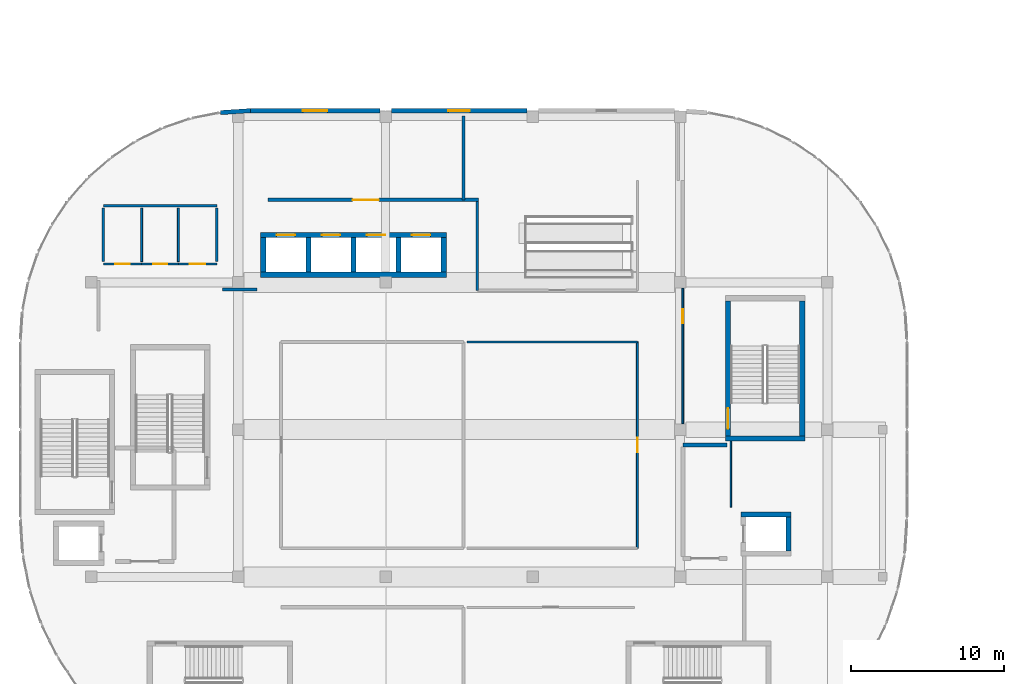
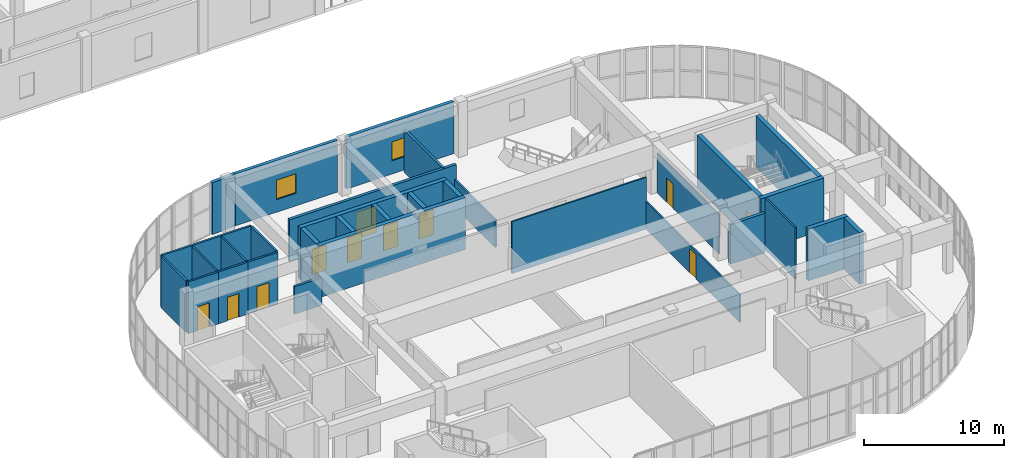
# One storey, part 22 of 28: 32 walls, 11 doors, 2 windows, 13 openings.
"""IFC4 building model written with IfcOpenShell, lengths in metres."""

from ifc_helpers import new_model, si_unit, direction, frame, frame_2d, origin, place, context, subcontext, project, spatial, rectangle, extrude, material, layer, layer_set, type_object, element, fill, save


model = new_model("IFC4")

# Units and contexts
model_context = context("Model", 3, precision=1e-05, world=origin(), true_north=direction((0.0, 1.0)))
body_context = subcontext(model_context, "Body", "Model", "MODEL_VIEW")
ifc_project = project(units=[si_unit("LENGTHUNIT", "METRE"), si_unit("AREAUNIT", "SQUARE_METRE"), si_unit("VOLUMEUNIT", "CUBIC_METRE"), si_unit("PLANEANGLEUNIT", "RADIAN"), si_unit("MASSUNIT", "GRAM", prefix="KILO")], contexts=[model_context])

# Site, building, storey
site_placement = place(None, origin())
site = spatial("IfcSite", under=ifc_project, at=site_placement, CompositionType="ELEMENT")
building_placement = place(site_placement, origin())
building = spatial("IfcBuilding", under=site, at=building_placement, Name="Cendralis Terraced Arcade", CompositionType="ELEMENT")
storey_placement = place(building_placement, frame((0.0, 0.0, 24.60009765625)))
storey = spatial("IfcBuildingStorey", under=building, at=storey_placement, Name="L05", CompositionType="ELEMENT", Elevation=24.60009765625)

# Walls
ifc_material_1 = material(Name="Gypsum plasterboard acoustic partition", Category="concrete")
ifc_layer_1 = layer(ifc_material_1, 0.195068359375, Name="WL-ACOU-195")
ifc_layer_set_1 = layer_set([ifc_layer_1], Name="Gypsum plasterboard acoustic partition")
wall_type_1 = type_object("IfcWallType", Name="WL-ACOU-195", PredefinedType="PARTITIONING", material=ifc_layer_set_1)
wall_1_placement = place(storey_placement, frame((20.419921875, 37.927490234375, 0.0), z_axis=(0.0, 0.0, 1.0), x_axis=(-1.0, 0.0, 0.0)))
element("IfcWall", 1, at=wall_1_placement, inside=storey, type_object=wall_type_1, Name="Interior Partition Wall IW-L05-0604", PredefinedType="PARTITIONING", context=body_context, shape_type="SweptSolid", body=[
    extrude(rectangle(XDim=2.239990234375, YDim=0.195068359375, at=frame_2d((1.1201171875, 0.0))), origin(), (0.0, 0.0, 1.0), 2.39990234375),
])
ifc_layer_2 = layer(ifc_material_1, 0.205078125, Name="WL-ACOU-205")
ifc_layer_set_2 = layer_set([ifc_layer_2], Name="Gypsum plasterboard acoustic partition")
wall_type_2 = type_object("IfcWallType", Name="WL-ACOU-205", PredefinedType="PARTITIONING", material=ifc_layer_set_2)
wall_2_placement = place(storey_placement, frame((33.8798828125, 49.260009765625, 0.0), z_axis=(0.0, 0.0, 1.0), x_axis=(0.0, -1.0, 0.0)))
element("IfcWall", 2, at=wall_2_placement, inside=storey, type_object=wall_type_2, Name="Interior Partition Wall IW-L05-0602", PredefinedType="PARTITIONING", context=body_context, shape_type="SweptSolid", body=[
    extrude(rectangle(XDim=5.47998046875, YDim=0.205078125, at=frame_2d((2.739990234375, 0.0))), origin(), (0.0, 0.0, 1.0), 3.65478515625),
])

# Wall, opening, door
ifc_material_2 = material(Name="Autoclaved aerated concrete blockwork", Category="masonry")
ifc_layer_3 = layer(ifc_material_2, 0.22802734375, Name="WL-ACOU-228")
ifc_layer_set_3 = layer_set([ifc_layer_3], Name="Autoclaved aerated concrete blockwork")
wall_type_3 = type_object("IfcWallType", Name="WL-ACOU-228", PredefinedType="PARTITIONING", material=ifc_layer_set_3)
wall_3_placement = place(storey_placement, frame((34.85498046875, 43.780029296875, 0.0), z_axis=(0.0, 0.0, 1.0), x_axis=(-1.0, 0.0, 0.0)))
wall_3 = element("IfcWall", 3, at=wall_3_placement, inside=storey, type_object=wall_type_3, Name="Interior Partition Wall IW-L05-0599", PredefinedType="PARTITIONING", context=body_context, shape_type="SweptSolid", body=[
    extrude(rectangle(XDim=13.715087890625, YDim=0.22802734375, at=frame_2d((6.857421875, 0.0))), origin(), (0.0, 0.0, 1.0), 3.65478515625),
])
opening_1_placement = place(wall_3_placement, frame((6.4951171875, 0.0, 0.0)))
opening_1 = element("IfcOpeningElement", 4, at=opening_1_placement, cuts=wall_3, Name="Opening D-L05-163", PredefinedType="OPENING", context=body_context, shape_type="SweptSolid", body=[
    extrude(rectangle(XDim=1.699951171875, YDim=2.300048828125, at=frame_2d((0.85009765625, 1.14990234375))), frame((0.0, 0.1259765625, 0.0), z_axis=(0.0, -1.0, 0.0), x_axis=(1.0, 0.0, 0.0)), (0.0, 0.0, 1.0), 0.251953125),
])
ifc_material_3 = material(Name="Solid core Andean oak veneer door leaf", Category="aluminium")
door_type_1 = type_object("IfcDoorType", Name="ID-DEP-1700x2300", OperationType="DOUBLE_DOOR_SINGLE_SWING", PredefinedType="DOOR", material=ifc_material_3)
door_1_placement = place(opening_1_placement, origin())
door_1 = element("IfcDoor", 5, at=door_1_placement, inside=storey, type_object=door_type_1, Name="Sports and Outdoor Gear Department Sales Floor Door D-L05-163", OperationType="DOUBLE_DOOR_SINGLE_SWING", OverallHeight=2.300048828125, OverallWidth=1.699951171875, PredefinedType="DOOR", context=body_context, shape_type="SweptSolid", body=[
    extrude(rectangle(XDim=1.699951171875, YDim=2.300048828125, at=frame_2d((0.85009765625, 1.14990234375))), frame((0.0, 0.02490234375, 0.0), z_axis=(0.0, -1.0, 0.0), x_axis=(1.0, 0.0, 0.0)), (0.0, 0.0, 1.0), 0.050048828125),
])
fill(opening_1, door_1)

# Walls
ifc_material_4 = material(Name="Concrete f'c 42 MPa", Category="concrete")
ifc_layer_4 = layer(ifc_material_4, 0.340087890625, Name="WL-CORE-340")
ifc_layer_set_4 = layer_set([ifc_layer_4], Name="Concrete f'c 42 MPa")
wall_type_4 = type_object("IfcWallType", Name="WL-CORE-340", PredefinedType="SHEAR", material=ifc_layer_set_4)
wall_4_placement = place(storey_placement, frame((50.9599609375, 28.22998046875, 0.0), z_axis=(0.0, 0.0, 1.0), x_axis=(1.0, 0.0, 0.0)))
element("IfcWall", 6, at=wall_4_placement, inside=storey, type_object=wall_type_4, Name="Stair Core Reinforced Concrete Shear Wall SW-ST-04-L05-S", PredefinedType="SHEAR", context=body_context, shape_type="SweptSolid", body=[
    extrude(rectangle(XDim=5.179931640625, YDim=0.340087890625, at=frame_2d((2.58984375, 0.0))), origin(), (0.0, 0.0, 1.0), 4.510009765625),
])
wall_5_placement = place(storey_placement, frame((55.969970703125, 28.39990234375, 0.0), z_axis=(0.0, 0.0, 1.0), x_axis=(0.0, 1.0, 0.0)))
element("IfcWall", 7, at=wall_5_placement, inside=storey, type_object=wall_type_4, Name="Stair Core Reinforced Concrete Shear Wall SW-ST-04-L05-E", PredefinedType="SHEAR", context=body_context, shape_type="SweptSolid", body=[
    extrude(rectangle(XDim=8.800048828125, YDim=0.340087890625, at=frame_2d((4.39990234375, 0.0))), origin(), (0.0, 0.0, 1.0), 4.510009765625),
])

# Wall, opening, door
wall_6_placement = place(storey_placement, frame((51.1298828125, 28.39990234375, 0.0), z_axis=(0.0, 0.0, 1.0), x_axis=(0.0, 1.0, 0.0)))
wall_6 = element("IfcWall", 8, at=wall_6_placement, inside=storey, type_object=wall_type_4, Name="Stair Core Reinforced Concrete Shear Wall SW-ST-04-L05-W", PredefinedType="SHEAR", context=body_context, shape_type="SweptSolid", body=[
    extrude(rectangle(XDim=8.800048828125, YDim=0.340087890625, at=frame_2d((4.39990234375, 0.0))), origin(), (0.0, 0.0, 1.0), 4.510009765625),
])
opening_2_placement = place(wall_6_placement, frame((0.449951171875, 0.0, 0.0)))
opening_2 = element("IfcOpeningElement", 9, at=opening_2_placement, cuts=wall_6, Name="Opening D-ST-04-L05", PredefinedType="OPENING", context=body_context, shape_type="SweptSolid", body=[
    extrude(rectangle(XDim=1.35009765625, YDim=2.199951171875, at=frame_2d((0.675048828125, 1.10009765625))), frame((0.0, 0.18212890625, 0.0), z_axis=(0.0, -1.0, 0.0), x_axis=(1.0, 0.0, 0.0)), (0.0, 0.0, 1.0), 0.364013671875),
])
ifc_material_5 = material(Name="Galvanised fire-rated steel door assembly", Category="steel")
door_type_2 = type_object("IfcDoorType", Name="ID-ST-1350x2200", OperationType="NOTDEFINED", PredefinedType="DOOR", material=ifc_material_5)
door_2_placement = place(opening_2_placement, frame((1.35009765625, 0.0, 0.0), z_axis=(0.0, 0.0, 1.0), x_axis=(-1.0, 0.0, 0.0)))
door_2 = element("IfcDoor", 10, at=door_2_placement, inside=storey, type_object=door_type_2, Name="Protected Stair ST-04 Fire Door (L05)", OperationType="SINGLE_SWING_LEFT", OverallHeight=2.199951171875, OverallWidth=1.35009765625, PredefinedType="DOOR", context=body_context, shape_type="SweptSolid", body=[
    extrude(rectangle(XDim=1.35009765625, YDim=2.199951171875, at=frame_2d((0.675048828125, 1.10009765625))), frame((0.0, 0.02490234375, 0.0), z_axis=(0.0, -1.0, 0.0), x_axis=(1.0, 0.0, 0.0)), (0.0, 0.0, 1.0), 0.050048828125),
])
fill(opening_2, door_2)

# Walls
wall_7_placement = place(storey_placement, frame((51.9599609375, 23.27001953125, 0.0), z_axis=(0.0, 0.0, 1.0), x_axis=(1.0, 0.0, 0.0)))
element("IfcWall", 11, at=wall_7_placement, inside=storey, type_object=wall_type_4, Name="Lift FFL-02 Reinforced Concrete Shaft Wall (L05)", PredefinedType="SHEAR", context=body_context, shape_type="SweptSolid", body=[
    extrude(rectangle(XDim=3.280029296875, YDim=0.340087890625, at=frame_2d((1.64013671875, 0.0))), origin(), (0.0, 0.0, 1.0), 4.510009765625),
])
wall_8_placement = place(storey_placement, frame((55.070068359375, 20.89990234375, 0.0), z_axis=(0.0, 0.0, 1.0), x_axis=(0.0, 1.0, 0.0)))
element("IfcWall", 12, at=wall_8_placement, inside=storey, type_object=wall_type_4, Name="Lift FFL-02 Reinforced Concrete Shaft Wall (L05)", PredefinedType="SHEAR", context=body_context, shape_type="SweptSolid", body=[
    extrude(rectangle(XDim=2.2001953125, YDim=0.340087890625, at=frame_2d((1.10009765625, 0.0))), origin(), (0.0, 0.0, 1.0), 4.510009765625),
])
for number, where, z_axis, x_axis, name in (
    (13, (23.77001953125, 39.074951171875, 0.0), (0.0, 0.0, 1.0), (0.0, 1.0, 0.0), "Lift PL-01 Reinforced Concrete Shaft Wall (L05)"),
    (14, (20.830078125, 39.074951171875, 0.0), (0.0, 0.0, 1.0), (0.0, 1.0, 0.0), "Lift PL-01 Reinforced Concrete Shaft Wall (L05)"),
):
    element("IfcWall", number, at=place(storey_placement, frame(where, z_axis=z_axis, x_axis=x_axis)), inside=storey, type_object=wall_type_4, Name=name, PredefinedType="SHEAR", context=body_context, shape_type="SweptSolid", body=[
        extrude(rectangle(XDim=2.25, YDim=0.340087890625, at=frame_2d((1.125, 0.0))), origin(), (0.0, 0.0, 1.0), 4.510009765625),
    ])
wall_9_placement = place(storey_placement, frame((20.659912109375, 38.905029296875, 0.0), z_axis=(0.0, 0.0, 1.0), x_axis=(1.0, 0.0, 0.0)))
element("IfcWall", 15, at=wall_9_placement, inside=storey, type_object=wall_type_4, Name="Lift PL-01 Reinforced Concrete Shaft Wall (L05)", PredefinedType="SHEAR", context=body_context, shape_type="SweptSolid", body=[
    extrude(rectangle(XDim=12.10009765625, YDim=0.340087890625, at=frame_2d((6.050048828125, 0.0))), origin(), (0.0, 0.0, 1.0), 4.510009765625),
])

# Wall, openings, doors
wall_10_placement = place(storey_placement, frame((20.659912109375, 41.4951171875, 0.0), z_axis=(0.0, 0.0, 1.0), x_axis=(1.0, 0.0, 0.0)))
wall_10 = element("IfcWall", 16, at=wall_10_placement, inside=storey, type_object=wall_type_4, Name="Lift PL-01 Reinforced Concrete Shaft Wall (L05)", PredefinedType="SHEAR", context=body_context, shape_type="SweptSolid", body=[
    extrude(rectangle(XDim=12.10009765625, YDim=0.340087890625, at=frame_2d((6.050048828125, 0.0))), origin(), (0.0, 0.0, 1.0), 4.510009765625),
])
opening_3_placement = place(wall_10_placement, frame((1.0400390625, 0.0, 0.0)))
opening_3 = element("IfcOpeningElement", 17, at=opening_3_placement, cuts=wall_10, Name="Opening LD-PL-01-L05", PredefinedType="OPENING", context=body_context, shape_type="SweptSolid", body=[
    extrude(rectangle(XDim=1.199951171875, YDim=2.199951171875, at=frame_2d((0.60009765625, 1.10009765625))), frame((0.0, 0.18212890625, 0.0), z_axis=(0.0, -1.0, 0.0), x_axis=(1.0, 0.0, 0.0)), (0.0, 0.0, 1.0), 0.364013671875),
])
opening_4_placement = place(wall_10_placement, frame((3.97998046875, 0.0, 0.0)))
opening_4 = element("IfcOpeningElement", 18, at=opening_4_placement, cuts=wall_10, Name="Opening LD-PL-02-L05", PredefinedType="OPENING", context=body_context, shape_type="SweptSolid", body=[
    extrude(rectangle(XDim=1.199951171875, YDim=2.199951171875, at=frame_2d((0.60009765625, 1.10009765625))), frame((0.0, 0.18212890625, 0.0), z_axis=(0.0, -1.0, 0.0), x_axis=(1.0, 0.0, 0.0)), (0.0, 0.0, 1.0), 0.364013671875),
])
opening_5_placement = place(wall_10_placement, frame((6.919921875, 0.0, 0.0)))
opening_5 = element("IfcOpeningElement", 19, at=opening_5_placement, cuts=wall_10, Name="Opening LD-PL-03-L05", PredefinedType="OPENING", context=body_context, shape_type="SweptSolid", body=[
    extrude(rectangle(XDim=1.199951171875, YDim=2.199951171875, at=frame_2d((0.60009765625, 1.10009765625))), frame((0.0, 0.18212890625, 0.0), z_axis=(0.0, -1.0, 0.0), x_axis=(1.0, 0.0, 0.0)), (0.0, 0.0, 1.0), 0.364013671875),
])
opening_6_placement = place(wall_10_placement, frame((9.860107421875, 0.0, 0.0)))
opening_6 = element("IfcOpeningElement", 20, at=opening_6_placement, cuts=wall_10, Name="Opening LD-PL-04-L05", PredefinedType="OPENING", context=body_context, shape_type="SweptSolid", body=[
    extrude(rectangle(XDim=1.199951171875, YDim=2.199951171875, at=frame_2d((0.60009765625, 1.10009765625))), frame((0.0, 0.18212890625, 0.0), z_axis=(0.0, -1.0, 0.0), x_axis=(1.0, 0.0, 0.0)), (0.0, 0.0, 1.0), 0.364013671875),
])
ifc_material_6 = material(Name="Anodised aluminium sliding door assembly", Category="aluminium")
door_type_3 = type_object("IfcDoorType", Name="ID-LD-PX-1200x2200", OperationType="DOUBLE_DOOR_SLIDING", PredefinedType="DOOR", material=ifc_material_6)
door_3_placement = place(opening_3_placement, origin())
door_3 = element("IfcDoor", 21, at=door_3_placement, inside=storey, type_object=door_type_3, Name="Lift PL-01 Sliding Landing Door (L05)", OperationType="DOUBLE_DOOR_SLIDING", OverallHeight=2.199951171875, OverallWidth=1.199951171875, PredefinedType="DOOR", context=body_context, shape_type="SweptSolid", body=[
    extrude(rectangle(XDim=1.199951171875, YDim=2.199951171875, at=frame_2d((0.60009765625, 1.10009765625))), frame((0.0, 0.02490234375, 0.0), z_axis=(0.0, -1.0, 0.0), x_axis=(1.0, 0.0, 0.0)), (0.0, 0.0, 1.0), 0.050048828125),
])
fill(opening_3, door_3)
door_4_placement = place(opening_4_placement, origin())
door_4 = element("IfcDoor", 22, at=door_4_placement, inside=storey, type_object=door_type_3, Name="Lift PL-02 Sliding Landing Door (L05)", OperationType="DOUBLE_DOOR_SLIDING", OverallHeight=2.199951171875, OverallWidth=1.199951171875, PredefinedType="DOOR", context=body_context, shape_type="SweptSolid", body=[
    extrude(rectangle(XDim=1.199951171875, YDim=2.199951171875, at=frame_2d((0.60009765625, 1.10009765625))), frame((0.0, 0.02490234375, 0.0), z_axis=(0.0, -1.0, 0.0), x_axis=(1.0, 0.0, 0.0)), (0.0, 0.0, 1.0), 0.050048828125),
])
fill(opening_4, door_4)
door_5_placement = place(opening_5_placement, origin())
door_5 = element("IfcDoor", 23, at=door_5_placement, inside=storey, type_object=door_type_3, Name="Lift PL-03 Sliding Landing Door (L05)", OperationType="DOUBLE_DOOR_SLIDING", OverallHeight=2.199951171875, OverallWidth=1.199951171875, PredefinedType="DOOR", context=body_context, shape_type="SweptSolid", body=[
    extrude(rectangle(XDim=1.199951171875, YDim=2.199951171875, at=frame_2d((0.60009765625, 1.10009765625))), frame((0.0, 0.02490234375, 0.0), z_axis=(0.0, -1.0, 0.0), x_axis=(1.0, 0.0, 0.0)), (0.0, 0.0, 1.0), 0.050048828125),
])
fill(opening_5, door_5)
door_6_placement = place(opening_6_placement, origin())
door_6 = element("IfcDoor", 24, at=door_6_placement, inside=storey, type_object=door_type_3, Name="Lift PL-04 Sliding Landing Door (L05)", OperationType="DOUBLE_DOOR_SLIDING", OverallHeight=2.199951171875, OverallWidth=1.199951171875, PredefinedType="DOOR", context=body_context, shape_type="SweptSolid", body=[
    extrude(rectangle(XDim=1.199951171875, YDim=2.199951171875, at=frame_2d((0.60009765625, 1.10009765625))), frame((0.0, 0.02490234375, 0.0), z_axis=(0.0, -1.0, 0.0), x_axis=(1.0, 0.0, 0.0)), (0.0, 0.0, 1.0), 0.050048828125),
])
fill(opening_6, door_6)

# Walls
for number, where, z_axis, x_axis, name in (
    (25, (26.7099609375, 39.074951171875, 0.0), (0.0, 0.0, 1.0), (0.0, 1.0, 0.0), "Lift PL-02 Reinforced Concrete Shaft Wall (L05)"),
    (26, (29.64990234375, 39.074951171875, 0.0), (0.0, 0.0, 1.0), (0.0, 1.0, 0.0), "Lift PL-03 Reinforced Concrete Shaft Wall (L05)"),
    (27, (32.590087890625, 39.074951171875, 0.0), (0.0, 0.0, 1.0), (0.0, 1.0, 0.0), "Lift PL-04 Reinforced Concrete Shaft Wall (L05)"),
):
    element("IfcWall", number, at=place(storey_placement, frame(where, z_axis=z_axis, x_axis=x_axis)), inside=storey, type_object=wall_type_4, Name=name, PredefinedType="SHEAR", context=body_context, shape_type="SweptSolid", body=[
        extrude(rectangle(XDim=2.25, YDim=0.340087890625, at=frame_2d((1.125, 0.0))), origin(), (0.0, 0.0, 1.0), 4.510009765625),
    ])
ifc_material_7 = material(Name="Precast concrete f'c 40 MPa", Category="concrete")
ifc_layer_5 = layer(ifc_material_7, 0.280029296875, Name="WL-EXT-GRC-280")
ifc_layer_set_5 = layer_set([ifc_layer_5], Name="Precast concrete f'c 40 MPa")
wall_type_5 = type_object("IfcWallType", Name="WL-EXT-GRC-280", PredefinedType="SOLIDWALL", material=ifc_layer_set_5)
wall_11_placement = place(storey_placement, frame((18.0419921875, 49.4716796875, 0.0), z_axis=(0.0, 0.0, 1.0), x_axis=(0.997856149912, 0.065445428286, 0.0)))
element("IfcWall", 28, at=wall_11_placement, inside=storey, type_object=wall_type_5, Name="Exterior Architectural Wall EW-L05-0323", PredefinedType="SOLIDWALL", context=body_context, shape_type="SweptSolid", body=[
    extrude(rectangle(XDim=1.962158203125, YDim=0.280029296875, at=frame_2d((0.98095703125, 0.0))), origin(), (0.0, 0.0, 1.0), 4.510009765625),
])

# Wall, opening, window
wall_12_placement = place(storey_placement, frame((20.0, 49.60009765625, 0.0), z_axis=(0.0, 0.0, 1.0), x_axis=(1.0, 0.0, 0.0)))
wall_12 = element("IfcWall", 29, at=wall_12_placement, inside=storey, type_object=wall_type_5, Name="Exterior Architectural Wall EW-L05-0324", PredefinedType="SOLIDWALL", context=body_context, shape_type="SweptSolid", body=[
    extrude(rectangle(XDim=8.427001953125, YDim=0.280029296875, at=frame_2d((4.21337890625, 0.0))), origin(), (0.0, 0.0, 1.0), 4.510009765625),
])
opening_7_placement = place(wall_12_placement, frame((3.41357421875, 0.0, 1.10009765625)))
opening_7 = element("IfcOpeningElement", 30, at=opening_7_placement, cuts=wall_12, Name="Opening W-28", PredefinedType="OPENING", context=body_context, shape_type="SweptSolid", body=[
    extrude(rectangle(XDim=1.60009765625, YDim=1.699951171875, at=frame_2d((0.800048828125, 0.85009765625))), frame((0.0, 0.15185546875, 0.0), z_axis=(0.0, -1.0, 0.0), x_axis=(1.0, 0.0, 0.0)), (0.0, 0.0, 1.0), 0.303955078125),
])
ifc_material_8 = material(Name="Tempered solar control laminated glass", Category="glass")
window_type_1 = type_object("IfcWindowType", Name="WN-F3-1600x1700", PartitioningType="SINGLE_PANEL", PredefinedType="WINDOW", material=ifc_material_8)
window_1_placement = place(opening_7_placement, origin())
window_1 = element("IfcWindow", 31, at=window_1_placement, inside=storey, type_object=window_type_1, Name="Exterior Solar-Control Window WN-L05-0215", OverallHeight=1.699951171875, OverallWidth=1.60009765625, PartitioningType="SINGLE_PANEL", PredefinedType="WINDOW", context=body_context, shape_type="SweptSolid", body=[
    extrude(rectangle(XDim=1.60009765625, YDim=1.699951171875, at=frame_2d((0.800048828125, 0.85009765625))), frame((0.0, 0.030029296875, 0.0), z_axis=(0.0, -1.0, 0.0), x_axis=(1.0, 0.0, 0.0)), (0.0, 0.0, 1.0), 0.06005859375),
])
fill(opening_7, window_1)

wall_13_placement = place(storey_placement, frame((29.173095703125, 49.60009765625, 0.0), z_axis=(0.0, 0.0, 1.0), x_axis=(1.0, 0.0, 0.0)))
wall_13 = element("IfcWall", 32, at=wall_13_placement, inside=storey, type_object=wall_type_5, Name="Exterior Architectural Wall EW-L05-0325", PredefinedType="SOLIDWALL", context=body_context, shape_type="SweptSolid", body=[
    extrude(rectangle(XDim=8.85400390625, YDim=0.280029296875, at=frame_2d((4.427001953125, 0.0))), origin(), (0.0, 0.0, 1.0), 4.510009765625),
])
opening_8_placement = place(wall_13_placement, frame((3.72705078125, 0.0, 1.14990234375)))
opening_8 = element("IfcOpeningElement", 33, at=opening_8_placement, cuts=wall_13, Name="Opening W-29", PredefinedType="OPENING", context=body_context, shape_type="SweptSolid", body=[
    extrude(rectangle(XDim=1.39990234375, YDim=1.64990234375, at=frame_2d((0.699951171875, 0.824951171875))), frame((0.0, 0.15185546875, 0.0), z_axis=(0.0, -1.0, 0.0), x_axis=(1.0, 0.0, 0.0)), (0.0, 0.0, 1.0), 0.303955078125),
])
window_type_2 = type_object("IfcWindowType", Name="WN-F3-1400x1650", PartitioningType="SINGLE_PANEL", PredefinedType="WINDOW", material=ifc_material_8)
window_2_placement = place(opening_8_placement, origin())
window_2 = element("IfcWindow", 34, at=window_2_placement, inside=storey, type_object=window_type_2, Name="Exterior Solar-Control Window WN-L05-0216", OverallHeight=1.64990234375, OverallWidth=1.39990234375, PartitioningType="SINGLE_PANEL", PredefinedType="WINDOW", context=body_context, shape_type="SweptSolid", body=[
    extrude(rectangle(XDim=1.39990234375, YDim=1.64990234375, at=frame_2d((0.699951171875, 0.824951171875))), frame((0.0, 0.030029296875, 0.0), z_axis=(0.0, -1.0, 0.0), x_axis=(1.0, 0.0, 0.0)), (0.0, 0.0, 1.0), 0.06005859375),
])
fill(opening_8, window_2)

# Walls
ifc_layer_6 = layer(ifc_material_2, 0.25, Name="WL-FFL-250")
ifc_layer_set_6 = layer_set([ifc_layer_6], Name="Autoclaved aerated concrete blockwork")
wall_type_6 = type_object("IfcWallType", Name="WL-FFL-250", PredefinedType="PARTITIONING", material=ifc_layer_set_6)
wall_14_placement = place(storey_placement, frame((48.199951171875, 27.800048828125, 0.0), z_axis=(0.0, 0.0, 1.0), x_axis=(1.0, 0.0, 0.0)))
element("IfcWall", 35, at=wall_14_placement, inside=storey, type_object=wall_type_6, Name="Firefighting Lift Lobby FFL-02 Rated Wall N (L05)", PredefinedType="PARTITIONING", context=body_context, shape_type="SweptSolid", body=[
    extrude(rectangle(XDim=2.85009765625, YDim=0.25, at=frame_2d((1.425048828125, 0.0))), origin(), (0.0, 0.0, 1.0), 3.449951171875),
])
ifc_layer_7 = layer(ifc_material_1, 0.10791015625, Name="WL-PART-108")
ifc_layer_set_7 = layer_set([ifc_layer_7], Name="Gypsum plasterboard acoustic partition")
wall_type_7 = type_object("IfcWallType", Name="WL-PART-108", PredefinedType="PARTITIONING", material=ifc_layer_set_7)
wall_15_placement = place(storey_placement, frame((51.31005859375, 23.744873046875, 0.0), z_axis=(0.0, 0.0, 1.0), x_axis=(0.0, 1.0, 0.0)))
element("IfcWall", 36, at=wall_15_placement, inside=storey, type_object=wall_type_7, Name="Interior Partition Wall IW-L05-0619", PredefinedType="PARTITIONING", context=body_context, shape_type="SweptSolid", body=[
    extrude(rectangle(XDim=4.315185546875, YDim=0.10791015625, at=frame_2d((2.15771484375, 0.0))), origin(), (0.0, 0.0, 1.0), 4.510009765625),
])

# Wall, opening, door
ifc_layer_8 = layer(ifc_material_1, 0.112060546875, Name="WL-PART-112")
ifc_layer_set_8 = layer_set([ifc_layer_8], Name="Gypsum plasterboard acoustic partition")
wall_type_8 = type_object("IfcWallType", Name="WL-PART-112", PredefinedType="PARTITIONING", material=ifc_layer_set_8)
wall_16_placement = place(storey_placement, frame((48.179931640625, 29.195068359375, 0.0), z_axis=(0.0, 0.0, 1.0), x_axis=(0.0, 1.0, 0.0)))
wall_16 = element("IfcWall", 37, at=wall_16_placement, inside=storey, type_object=wall_type_8, Name="Interior Partition Wall IW-L05-0618", PredefinedType="PARTITIONING", context=body_context, shape_type="SweptSolid", body=[
    extrude(rectangle(XDim=8.809814453125, YDim=0.112060546875, at=frame_2d((4.40478515625, 0.0))), origin(), (0.0, 0.0, 1.0), 3.449951171875),
])
opening_9_placement = place(wall_16_placement, frame((6.544921875, 0.0, 0.0)))
opening_9 = element("IfcOpeningElement", 38, at=opening_9_placement, cuts=wall_16, Name="Opening D-L05-168", PredefinedType="OPENING", context=body_context, shape_type="SweptSolid", body=[
    extrude(rectangle(XDim=0.919921875, YDim=2.10009765625, at=frame_2d((0.4599609375, 1.050048828125))), frame((0.0, 0.06787109375, 0.0), z_axis=(0.0, -1.0, 0.0), x_axis=(1.0, 0.0, 0.0)), (0.0, 0.0, 1.0), 0.135986328125),
])
door_type_4 = type_object("IfcDoorType", Name="ID-RM-0920x2100", OperationType="NOTDEFINED", PredefinedType="DOOR", material=ifc_material_3)
door_7_placement = place(opening_9_placement, origin())
door_7 = element("IfcDoor", 39, at=door_7_placement, inside=storey, type_object=door_type_4, Name="Staff Canteen and Training Rooms Door D-L05-168", OperationType="SINGLE_SWING_RIGHT", OverallHeight=2.10009765625, OverallWidth=0.919921875, PredefinedType="DOOR", context=body_context, shape_type="SweptSolid", body=[
    extrude(rectangle(XDim=0.919921875, YDim=2.10009765625, at=frame_2d((0.4599609375, 1.050048828125))), frame((0.0, 0.02490234375, 0.0), z_axis=(0.0, -1.0, 0.0), x_axis=(1.0, 0.0, 0.0)), (0.0, 0.0, 1.0), 0.050048828125),
])
fill(opening_9, door_7)

# Wall
ifc_layer_9 = layer(ifc_material_1, 0.1220703125, Name="WL-PART-122")
ifc_layer_set_9 = layer_set([ifc_layer_9], Name="Gypsum plasterboard acoustic partition")
wall_type_9 = type_object("IfcWallType", Name="WL-PART-122", PredefinedType="PARTITIONING", material=ifc_layer_set_9)
wall_17_placement = place(storey_placement, frame((34.1201171875, 34.52001953125, 0.0), z_axis=(0.0, 0.0, 1.0), x_axis=(1.0, 0.0, 0.0)))
element("IfcWall", 40, at=wall_17_placement, inside=storey, type_object=wall_type_9, Name="Interior Partition Wall IW-L05-0616", PredefinedType="PARTITIONING", context=body_context, shape_type="SweptSolid", body=[
    extrude(rectangle(XDim=11.099853515625, YDim=0.1220703125, at=frame_2d((5.5498046875, 0.0))), origin(), (0.0, 0.0, 1.0), 4.510009765625),
])

# Wall, opening, door
ifc_layer_10 = layer(ifc_material_1, 0.1259765625, Name="WL-PART-126")
ifc_layer_set_10 = layer_set([ifc_layer_10], Name="Gypsum plasterboard acoustic partition")
wall_type_10 = type_object("IfcWallType", Name="WL-PART-126", PredefinedType="PARTITIONING", material=ifc_layer_set_10)
wall_18_placement = place(storey_placement, frame((45.219970703125, 34.52001953125, 0.0), z_axis=(0.0, 0.0, 1.0), x_axis=(0.0, -1.0, 0.0)))
wall_18 = element("IfcWall", 41, at=wall_18_placement, inside=storey, type_object=wall_type_10, Name="Interior Partition Wall IW-L05-0615", PredefinedType="PARTITIONING", context=body_context, shape_type="SweptSolid", body=[
    extrude(rectangle(XDim=13.43994140625, YDim=0.1259765625, at=frame_2d((6.719970703125, 0.0))), origin(), (0.0, 0.0, 1.0), 2.39990234375),
])
opening_10_placement = place(wall_18_placement, frame((6.2451171875, 0.0, 0.0)))
opening_10 = element("IfcOpeningElement", 42, at=opening_10_placement, cuts=wall_18, Name="Opening D-L05-167", PredefinedType="OPENING", context=body_context, shape_type="SweptSolid", body=[
    extrude(rectangle(XDim=0.949951171875, YDim=2.10009765625, at=frame_2d((0.47509765625, 1.050048828125))), frame((0.0, 0.074951171875, 0.0), z_axis=(0.0, -1.0, 0.0), x_axis=(1.0, 0.0, 0.0)), (0.0, 0.0, 1.0), 0.14990234375),
])
door_type_5 = type_object("IfcDoorType", Name="ID-RM-0950x2100", OperationType="NOTDEFINED", PredefinedType="DOOR", material=ifc_material_3)
door_8_placement = place(opening_10_placement, origin())
door_8 = element("IfcDoor", 43, at=door_8_placement, inside=storey, type_object=door_type_5, Name="Merchandising Atelier and Design Salon Door D-L05-167", OperationType="SINGLE_SWING_LEFT", OverallHeight=2.10009765625, OverallWidth=0.949951171875, PredefinedType="DOOR", context=body_context, shape_type="SweptSolid", body=[
    extrude(rectangle(XDim=0.949951171875, YDim=2.10009765625, at=frame_2d((0.47509765625, 1.050048828125))), frame((0.0, 0.02490234375, 0.0), z_axis=(0.0, -1.0, 0.0), x_axis=(1.0, 0.0, 0.0)), (0.0, 0.0, 1.0), 0.050048828125),
])
fill(opening_10, door_8)

# Walls
ifc_layer_11 = layer(ifc_material_1, 0.1298828125, Name="WL-PART-130")
ifc_layer_set_11 = layer_set([ifc_layer_11], Name="Gypsum plasterboard acoustic partition")
wall_type_11 = type_object("IfcWallType", Name="WL-PART-130", PredefinedType="PARTITIONING", material=ifc_layer_set_11)
for number, where, z_axis, x_axis, name in (
    (44, (12.89990234375, 39.75, 0.0), (0.0, 0.0, 1.0), (0.0, 1.0, 0.0), "Restroom Enclosure Partition IW-WC-L05-0075"),
    (45, (15.300048828125, 39.75, 0.0), (0.0, 0.0, 1.0), (0.0, 1.0, 0.0), "Restroom Enclosure Partition IW-WC-L05-0076"),
):
    element("IfcWall", number, at=place(storey_placement, frame(where, z_axis=z_axis, x_axis=x_axis)), inside=storey, type_object=wall_type_11, Name=name, PredefinedType="PARTITIONING", context=body_context, shape_type="SweptSolid", body=[
        extrude(rectangle(XDim=3.5, YDim=0.1298828125, at=frame_2d((1.75, 0.0))), origin(), (0.0, 0.0, 1.0), 4.510009765625),
    ])
ifc_layer_12 = layer(ifc_material_1, 0.14990234375, Name="WL-PART-150")
ifc_layer_set_12 = layer_set([ifc_layer_12], Name="Gypsum plasterboard acoustic partition")
wall_type_12 = type_object("IfcWallType", Name="WL-PART-150", PredefinedType="PARTITIONING", material=ifc_layer_set_12)
wall_19_placement = place(storey_placement, frame((34.780029296875, 37.8798828125, 0.0), z_axis=(0.0, 0.0, 1.0), x_axis=(0.0, 1.0, 0.0)))
element("IfcWall", 46, at=wall_19_placement, inside=storey, type_object=wall_type_12, Name="Interior Partition Wall IW-L05-0611", PredefinedType="PARTITIONING", context=body_context, shape_type="SweptSolid", body=[
    extrude(rectangle(XDim=5.7861328125, YDim=0.14990234375, at=frame_2d((2.89306640625, 0.0))), origin(), (0.0, 0.0, 1.0), 2.39990234375),
])
ifc_layer_13 = layer(ifc_material_1, 0.159912109375, Name="WL-PART-160")
ifc_layer_set_13 = layer_set([ifc_layer_13], Name="Gypsum plasterboard acoustic partition")
wall_type_13 = type_object("IfcWallType", Name="WL-PART-160", PredefinedType="PARTITIONING", material=ifc_layer_set_13)
wall_20_placement = place(storey_placement, frame((10.39990234375, 43.39990234375, 0.0), z_axis=(0.0, 0.0, 1.0), x_axis=(1.0, 0.0, 0.0)))
element("IfcWall", 47, at=wall_20_placement, inside=storey, type_object=wall_type_13, Name="Restroom Enclosure Partition IW-WC-L05-0073", PredefinedType="PARTITIONING", context=body_context, shape_type="SweptSolid", body=[
    extrude(rectangle(XDim=7.400146484375, YDim=0.159912109375, at=frame_2d((3.7001953125, 0.0))), origin(), (0.0, 0.0, 1.0), 4.510009765625),
])
for number, where, z_axis, x_axis, name in (
    (48, (10.39990234375, 39.75, 0.0), (0.0, 0.0, 1.0), (0.0, 1.0, 0.0), "Restroom Enclosure Partition IW-WC-L05-0074"),
    (49, (17.800048828125, 39.75, 0.0), (0.0, 0.0, 1.0), (0.0, 1.0, 0.0), "Restroom Enclosure Partition IW-WC-L05-0077"),
):
    element("IfcWall", number, at=place(storey_placement, frame(where, z_axis=z_axis, x_axis=x_axis)), inside=storey, type_object=wall_type_13, Name=name, PredefinedType="PARTITIONING", context=body_context, shape_type="SweptSolid", body=[
        extrude(rectangle(XDim=3.5, YDim=0.159912109375, at=frame_2d((1.75, 0.0))), origin(), (0.0, 0.0, 1.0), 4.510009765625),
    ])

# Wall, opening, door
wall_21_placement = place(storey_placement, frame((10.39990234375, 39.60009765625, 0.0), z_axis=(0.0, 0.0, 1.0), x_axis=(1.0, 0.0, 0.0)))
wall_21 = element("IfcWall", 50, at=wall_21_placement, inside=storey, type_object=wall_type_13, Name="Restroom Enclosure Partition IW-WC-L05-0078", PredefinedType="PARTITIONING", context=body_context, shape_type="SweptSolid", body=[
    extrude(rectangle(XDim=2.5, YDim=0.159912109375, at=frame_2d((1.25, 0.0))), origin(), (0.0, 0.0, 1.0), 4.510009765625),
])
opening_11_placement = place(wall_21_placement, frame((0.77490234375, 0.0, 0.0)))
opening_11 = element("IfcOpeningElement", 51, at=opening_11_placement, cuts=wall_21, Name="Opening D-WC-L05-027", PredefinedType="OPENING", context=body_context, shape_type="SweptSolid", body=[
    extrude(rectangle(XDim=0.949951171875, YDim=2.080078125, at=frame_2d((0.47509765625, 1.0400390625))), frame((0.0, 0.091796875, 0.0), z_axis=(0.0, -1.0, 0.0), x_axis=(1.0, 0.0, 0.0)), (0.0, 0.0, 1.0), 0.183837890625),
])
door_type_6 = type_object("IfcDoorType", Name="ID-WC-0950x2080", OperationType="NOTDEFINED", PredefinedType="DOOR", material=ifc_material_3)
door_9_placement = place(opening_11_placement, origin())
door_9 = element("IfcDoor", 52, at=door_9_placement, inside=storey, type_object=door_type_6, Name="Women's Restroom Door (L05)", OperationType="SINGLE_SWING_RIGHT", OverallHeight=2.080078125, OverallWidth=0.949951171875, PredefinedType="DOOR", context=body_context, shape_type="SweptSolid", body=[
    extrude(rectangle(XDim=0.949951171875, YDim=2.080078125, at=frame_2d((0.47509765625, 1.0400390625))), frame((0.0, 0.02490234375, 0.0), z_axis=(0.0, -1.0, 0.0), x_axis=(1.0, 0.0, 0.0)), (0.0, 0.0, 1.0), 0.050048828125),
])
fill(opening_11, door_9)

wall_22_placement = place(storey_placement, frame((12.89990234375, 39.60009765625, 0.0), z_axis=(0.0, 0.0, 1.0), x_axis=(1.0, 0.0, 0.0)))
wall_22 = element("IfcWall", 53, at=wall_22_placement, inside=storey, type_object=wall_type_13, Name="Restroom Enclosure Partition IW-WC-L05-0079", PredefinedType="PARTITIONING", context=body_context, shape_type="SweptSolid", body=[
    extrude(rectangle(XDim=2.400146484375, YDim=0.159912109375, at=frame_2d((1.2001953125, 0.0))), origin(), (0.0, 0.0, 1.0), 4.510009765625),
])
opening_12_placement = place(wall_22_placement, frame((0.739990234375, 0.0, 0.0)))
opening_12 = element("IfcOpeningElement", 54, at=opening_12_placement, cuts=wall_22, Name="Opening D-WC-L05-028", PredefinedType="OPENING", context=body_context, shape_type="SweptSolid", body=[
    extrude(rectangle(XDim=0.919921875, YDim=2.050048828125, at=frame_2d((0.4599609375, 1.02490234375))), frame((0.0, 0.091796875, 0.0), z_axis=(0.0, -1.0, 0.0), x_axis=(1.0, 0.0, 0.0)), (0.0, 0.0, 1.0), 0.183837890625),
])
door_type_7 = type_object("IfcDoorType", Name="ID-WC-0920x2050", OperationType="NOTDEFINED", PredefinedType="DOOR", material=ifc_material_3)
door_10_placement = place(opening_12_placement, origin())
door_10 = element("IfcDoor", 55, at=door_10_placement, inside=storey, type_object=door_type_7, Name="Men's Restroom Door (L05)", OperationType="SINGLE_SWING_LEFT", OverallHeight=2.050048828125, OverallWidth=0.919921875, PredefinedType="DOOR", context=body_context, shape_type="SweptSolid", body=[
    extrude(rectangle(XDim=0.919921875, YDim=2.050048828125, at=frame_2d((0.4599609375, 1.02490234375))), frame((0.0, 0.02490234375, 0.0), z_axis=(0.0, -1.0, 0.0), x_axis=(1.0, 0.0, 0.0)), (0.0, 0.0, 1.0), 0.050048828125),
])
fill(opening_12, door_10)

wall_23_placement = place(storey_placement, frame((15.300048828125, 39.60009765625, 0.0), z_axis=(0.0, 0.0, 1.0), x_axis=(1.0, 0.0, 0.0)))
wall_23 = element("IfcWall", 56, at=wall_23_placement, inside=storey, type_object=wall_type_13, Name="Restroom Enclosure Partition IW-WC-L05-0080", PredefinedType="PARTITIONING", context=body_context, shape_type="SweptSolid", body=[
    extrude(rectangle(XDim=2.5, YDim=0.159912109375, at=frame_2d((1.25, 0.0))), origin(), (0.0, 0.0, 1.0), 4.510009765625),
])
opening_13_placement = place(wall_23_placement, frame((0.739990234375, 0.0, 0.0)))
opening_13 = element("IfcOpeningElement", 57, at=opening_13_placement, cuts=wall_23, Name="Opening D-WC-L05-029", PredefinedType="OPENING", context=body_context, shape_type="SweptSolid", body=[
    extrude(rectangle(XDim=1.02001953125, YDim=2.1201171875, at=frame_2d((0.510009765625, 1.06005859375))), frame((0.0, 0.091796875, 0.0), z_axis=(0.0, -1.0, 0.0), x_axis=(1.0, 0.0, 0.0)), (0.0, 0.0, 1.0), 0.183837890625),
])
door_type_8 = type_object("IfcDoorType", Name="ID-AWC-1020x2120", OperationType="NOTDEFINED", PredefinedType="DOOR", material=ifc_material_3)
door_11_placement = place(opening_13_placement, origin())
door_11 = element("IfcDoor", 58, at=door_11_placement, inside=storey, type_object=door_type_8, Name="Accessible WC Door (L05)", OperationType="SINGLE_SWING_RIGHT", OverallHeight=2.1201171875, OverallWidth=1.02001953125, PredefinedType="DOOR", context=body_context, shape_type="SweptSolid", body=[
    extrude(rectangle(XDim=1.02001953125, YDim=2.1201171875, at=frame_2d((0.510009765625, 1.06005859375))), frame((0.0, 0.02490234375, 0.0), z_axis=(0.0, -1.0, 0.0), x_axis=(1.0, 0.0, 0.0)), (0.0, 0.0, 1.0), 0.050048828125),
])
fill(opening_13, door_11)

save(model, "model.ifc")
